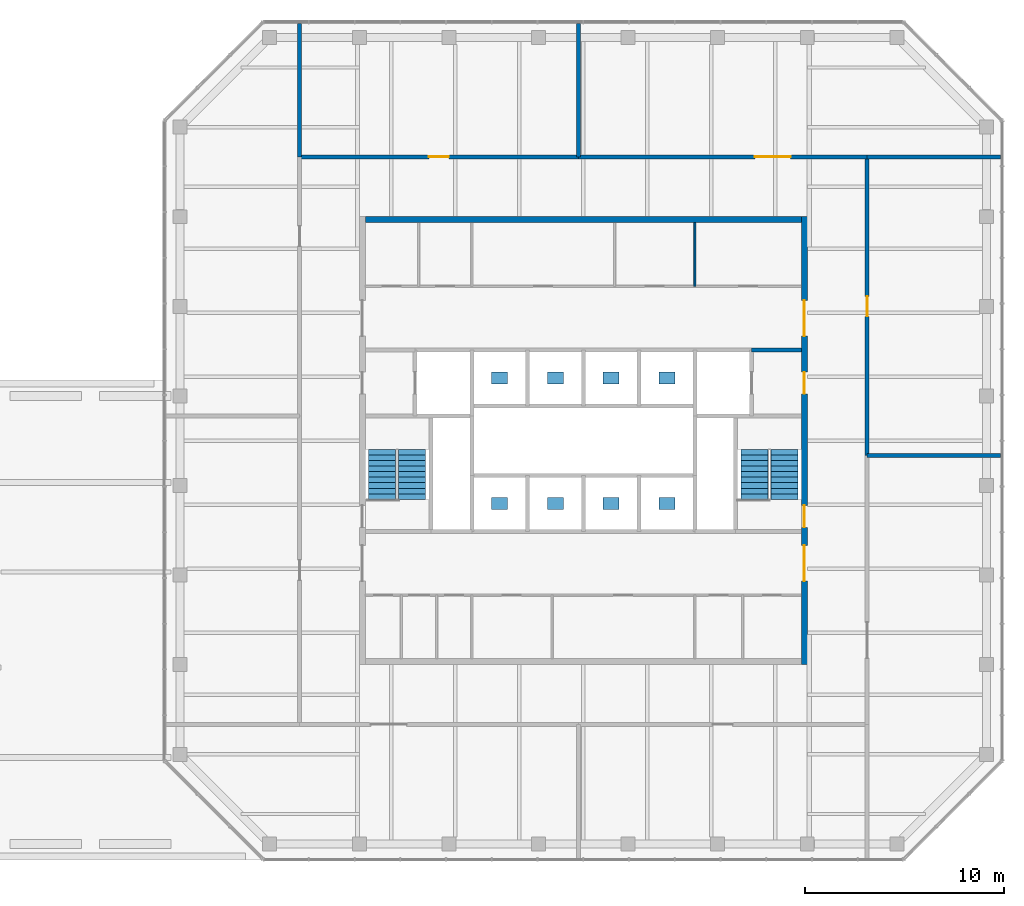
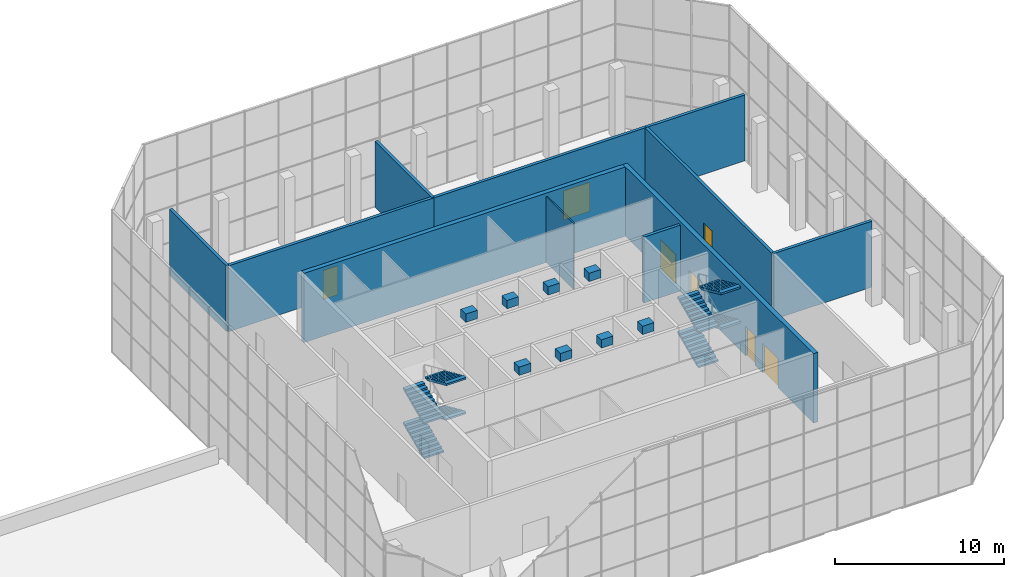
# One storey, part 18 of 19: 11 walls, 8 discrete accessories, 8 stair flights, 7 doors, 7 openings, 2 elements without a shape of their own.
"""IFC4 building model written with IfcOpenShell, lengths in metres."""

from ifc_helpers import new_model, si_unit, direction, frame, frame_2d, origin, origin_2d, place, context, subcontext, project, spatial, polyline, rectangle, outline, extrude, material, layer, layer_set, type_object, element, fill, aggregate, save


model = new_model("IFC4")

# Units and contexts
model_context = context("Model", 3, precision=1e-05, world=origin(), true_north=direction((0.0, 1.0)))
body_context = subcontext(model_context, "Body", "Model", "MODEL_VIEW")
ifc_project = project(units=[si_unit("LENGTHUNIT", "METRE"), si_unit("AREAUNIT", "SQUARE_METRE"), si_unit("VOLUMEUNIT", "CUBIC_METRE"), si_unit("PLANEANGLEUNIT", "RADIAN"), si_unit("MASSUNIT", "GRAM", prefix="KILO")], contexts=[model_context])

# Site, building, storey
site_placement = place(None, origin())
site = spatial("IfcSite", under=ifc_project, at=site_placement, CompositionType="ELEMENT")
building_placement = place(site_placement, origin())
building = spatial("IfcBuilding", under=site, at=building_placement, Name="Quoin Convention Tower", CompositionType="ELEMENT")
storey_placement = place(building_placement, frame((0.0, 0.0, 263.699951171875)))
storey = spatial("IfcBuildingStorey", under=building, at=storey_placement, Name="L69", CompositionType="ELEMENT", Elevation=263.699951171875)

# Walls
ifc_material_1 = material(Name="Plasterboard")
ifc_layer_1 = layer(ifc_material_1, 0.012451171875, Name="Finish")
ifc_material_2 = material(Name="Steel stud framing", Category="steel")
ifc_layer_2 = layer(ifc_material_2, 0.074951171875, Name="Structure")
ifc_layer_3 = layer(ifc_material_1, 0.012451171875, Name="Finish")
ifc_layer_set_1 = layer_set([ifc_layer_1, ifc_layer_2, ifc_layer_3], Name="Steel stud framing")
wall_type_1 = type_object("IfcWallType", Name="Core partition wall", PredefinedType="PARTITIONING", material=ifc_layer_set_1)
wall_1_placement = place(storey_placement, frame((61.85009765625, 68.5, 0.0), z_axis=(0.0, 0.0, 1.0), x_axis=(0.0, 1.0, 0.0)))
element("IfcWall", 1, at=wall_1_placement, inside=storey, type_object=wall_type_1, Name="cr-C1-L69-v16850_19000", PredefinedType="PARTITIONING", context=body_context, shape_type="SweptSolid", body=[
    extrude(rectangle(XDim=3.199951171875, YDim=0.10009765625, at=frame_2d((1.60009765625, 0.0))), origin(), (0.0, 0.0, 1.0), 4.75),
])
ifc_material_3 = material(Name="Concrete C50", Category="concrete")
ifc_layer_4 = layer(ifc_material_3, 0.199951171875)
ifc_layer_set_2 = layer_set([ifc_layer_4], Name="Concrete C50")
wall_type_2 = type_object("IfcWallType", Name="Core shaft wall", PredefinedType="SOLIDWALL", material=ifc_layer_set_2)
wall_2_placement = place(storey_placement, frame((64.699951171875, 65.300048828125, 0.0), z_axis=(0.0, 0.0, 1.0), x_axis=(1.0, 0.0, 0.0)))
element("IfcWall", 2, at=wall_2_placement, inside=storey, type_object=wall_type_2, Name="cr-C1-L69-h15800_19700", PredefinedType="SOLIDWALL", context=body_context, shape_type="SweptSolid", body=[
    extrude(rectangle(XDim=2.5, YDim=0.199951171875, at=frame_2d((1.25, 0.0))), origin(), (0.0, 0.0, 1.0), 4.75),
])
ifc_layer_5 = layer(ifc_material_1, 0.012451171875, Name="Finish")
ifc_layer_6 = layer(ifc_material_2, 0.175048828125, Name="Structure")
ifc_layer_7 = layer(ifc_material_1, 0.012451171875, Name="Finish")
ifc_layer_set_3 = layer_set([ifc_layer_5, ifc_layer_6, ifc_layer_7], Name="Steel stud framing")
wall_type_3 = type_object("IfcWallType", Name="Plant room wall 200", PredefinedType="PARTITIONING", material=ifc_layer_set_3)
wall_3_placement = place(storey_placement, frame((70.5, 60.0, 0.0), z_axis=(0.0, 0.0, 1.0), x_axis=(1.0, 0.0, 0.0)))
element("IfcWall", 3, at=wall_3_placement, inside=storey, type_object=wall_type_3, Name="pw-L69-008", PredefinedType="PARTITIONING", context=body_context, shape_type="SweptSolid", body=[
    extrude(rectangle(XDim=6.699951171875, YDim=0.199951171875, at=frame_2d((3.35009765625, 0.0))), origin(), (0.0, 0.0, 1.0), 4.75),
])

# Wall, opening, door
wall_4_placement = place(storey_placement, frame((70.5, 60.0, 0.0), z_axis=(0.0, 0.0, 1.0), x_axis=(0.0, 1.0, 0.0)))
wall_4 = element("IfcWall", 4, at=wall_4_placement, inside=storey, type_object=wall_type_3, Name="pw-L69-009", PredefinedType="PARTITIONING", context=body_context, shape_type="SweptSolid", body=[
    extrude(rectangle(XDim=15.0, YDim=0.199951171875, at=frame_2d((7.5, 0.0))), origin(), (0.0, 0.0, 1.0), 4.75),
])
opening_1_placement = place(wall_4_placement, frame((7.0, 0.0, 0.0)))
opening_1 = element("IfcOpeningElement", 5, at=opening_1_placement, cuts=wall_4, Name="Opening DPDC1-05", PredefinedType="OPENING", context=body_context, shape_type="SweptSolid", body=[
    extrude(rectangle(XDim=1.0, YDim=2.10009765625, at=frame_2d((0.5, 1.050048828125))), frame((0.0, 0.10986328125, 0.0), z_axis=(0.0, -1.0, 0.0), x_axis=(1.0, 0.0, 0.0)), (0.0, 0.0, 1.0), 0.219970703125),
])
ifc_material_4 = material(Name="Steel door leaf", Category="steel")
door_type_1 = type_object("IfcDoorType", Name="Plant door 1000", OperationType="SINGLE_SWING_RIGHT", PredefinedType="DOOR", material=ifc_material_4)
door_1_placement = place(opening_1_placement, frame((1.0, 0.0, 0.0), z_axis=(0.0, 0.0, 1.0), x_axis=(-1.0, 0.0, 0.0)))
door_1 = element("IfcDoor", 6, at=door_1_placement, inside=storey, type_object=door_type_1, Name="dr-L69-004", OperationType="SINGLE_SWING_LEFT", OverallHeight=2.10009765625, OverallWidth=1.0, PredefinedType="DOOR", context=body_context, shape_type="SweptSolid", body=[
    extrude(rectangle(XDim=1.0, YDim=2.10009765625, at=frame_2d((0.5, 1.050048828125))), frame((0.0, 0.02490234375, 0.0), z_axis=(0.0, -1.0, 0.0), x_axis=(1.0, 0.0, 0.0)), (0.0, 0.0, 1.0), 0.050048828125),
])
fill(opening_1, door_1)

wall_5_placement = place(storey_placement, frame((42.0, 75.0, 0.0), z_axis=(0.0, 0.0, 1.0), x_axis=(1.0, 0.0, 0.0)))
wall_5 = element("IfcWall", 7, at=wall_5_placement, inside=storey, type_object=wall_type_3, Name="pw-L69-012", PredefinedType="PARTITIONING", context=body_context, shape_type="SweptSolid", body=[
    extrude(rectangle(XDim=14.0, YDim=0.199951171875, at=frame_2d((7.0, 0.0))), origin(), (0.0, 0.0, 1.0), 4.75),
])
opening_2_placement = place(wall_5_placement, frame((6.5, 0.0, 0.0)))
opening_2 = element("IfcOpeningElement", 8, at=opening_2_placement, cuts=wall_5, Name="Opening DPDC1-07", PredefinedType="OPENING", context=body_context, shape_type="SweptSolid", body=[
    extrude(rectangle(XDim=1.0, YDim=2.10009765625, at=frame_2d((0.5, 1.050048828125))), frame((0.0, 0.10986328125, 0.0), z_axis=(0.0, -1.0, 0.0), x_axis=(1.0, 0.0, 0.0)), (0.0, 0.0, 1.0), 0.219970703125),
])
door_2_placement = place(opening_2_placement, origin())
door_2 = element("IfcDoor", 9, at=door_2_placement, inside=storey, type_object=door_type_1, Name="dr-L69-005", OperationType="SINGLE_SWING_RIGHT", OverallHeight=2.10009765625, OverallWidth=1.0, PredefinedType="DOOR", context=body_context, shape_type="SweptSolid", body=[
    extrude(rectangle(XDim=1.0, YDim=2.10009765625, at=frame_2d((0.5, 1.050048828125))), frame((0.0, 0.02490234375, 0.0), z_axis=(0.0, -1.0, 0.0), x_axis=(1.0, 0.0, 0.0)), (0.0, 0.0, 1.0), 0.050048828125),
])
fill(opening_2, door_2)

# Wall
wall_6_placement = place(storey_placement, frame((42.0, 75.0, 0.0), z_axis=(0.0, 0.0, 1.0), x_axis=(0.0, 1.0, 0.0)))
element("IfcWall", 10, at=wall_6_placement, inside=storey, type_object=wall_type_3, Name="pw-L69-013", PredefinedType="PARTITIONING", context=body_context, shape_type="SweptSolid", body=[
    extrude(rectangle(XDim=6.699951171875, YDim=0.199951171875, at=frame_2d((3.35009765625, 0.0))), origin(), (0.0, 0.0, 1.0), 4.75),
])

# Wall, opening, door
wall_7_placement = place(storey_placement, frame((56.0, 75.0, 0.0), z_axis=(0.0, 0.0, 1.0), x_axis=(1.0, 0.0, 0.0)))
wall_7 = element("IfcWall", 11, at=wall_7_placement, inside=storey, type_object=wall_type_3, Name="pw-L69-014", PredefinedType="PARTITIONING", context=body_context, shape_type="SweptSolid", body=[
    extrude(rectangle(XDim=14.5, YDim=0.199951171875, at=frame_2d((7.25, 0.0))), origin(), (0.0, 0.0, 1.0), 4.75),
])
opening_3_placement = place(wall_7_placement, frame((8.868896484375, 0.0, 0.0)))
opening_3 = element("IfcOpeningElement", 12, at=opening_3_placement, cuts=wall_7, Name="Opening DPDC1-08", PredefinedType="OPENING", context=body_context, shape_type="SweptSolid", body=[
    extrude(rectangle(XDim=1.800048828125, YDim=2.10009765625, at=frame_2d((0.89990234375, 1.050048828125))), frame((0.0, 0.10986328125, 0.0), z_axis=(0.0, -1.0, 0.0), x_axis=(1.0, 0.0, 0.0)), (0.0, 0.0, 1.0), 0.219970703125),
])
door_type_2 = type_object("IfcDoorType", Name="Plant door pair 1800", OperationType="DOUBLE_DOOR_SINGLE_SWING", PredefinedType="DOOR", material=ifc_material_4)
door_3_placement = place(opening_3_placement, origin())
door_3 = element("IfcDoor", 13, at=door_3_placement, inside=storey, type_object=door_type_2, Name="dr-L69-006", OperationType="DOUBLE_DOOR_SINGLE_SWING", OverallHeight=2.10009765625, OverallWidth=1.800048828125, PredefinedType="DOOR", context=body_context, shape_type="SweptSolid", body=[
    extrude(rectangle(XDim=1.800048828125, YDim=2.10009765625, at=frame_2d((0.89990234375, 1.050048828125))), frame((0.0, 0.02490234375, 0.0), z_axis=(0.0, -1.0, 0.0), x_axis=(1.0, 0.0, 0.0)), (0.0, 0.0, 1.0), 0.050048828125),
])
fill(opening_3, door_3)

# Walls
for number, where, z_axis, x_axis, name in (
    (14, (56.0, 75.0, 0.0), (0.0, 0.0, 1.0), (0.0, 1.0, 0.0), "pw-L69-015"),
    (15, (70.5, 75.0, 0.0), (0.0, 0.0, 1.0), (1.0, 0.0, 0.0), "pw-L69-016"),
):
    element("IfcWall", number, at=place(storey_placement, frame(where, z_axis=z_axis, x_axis=x_axis)), inside=storey, type_object=wall_type_3, Name=name, PredefinedType="PARTITIONING", context=body_context, shape_type="SweptSolid", body=[
        extrude(rectangle(XDim=6.699951171875, YDim=0.199951171875, at=frame_2d((3.35009765625, 0.0))), origin(), (0.0, 0.0, 1.0), 4.75),
    ])
ifc_material_5 = material(Name="Concrete C40", Category="concrete")
ifc_layer_8 = layer(ifc_material_5, 0.300048828125)
ifc_layer_set_4 = layer_set([ifc_layer_8], Name="Concrete C40")
wall_type_4 = type_object("IfcWallType", Name="RC CORE WALL 300 C40", PredefinedType="SHEAR", material=ifc_layer_set_4)
wall_8_placement = place(storey_placement, frame((45.300048828125, 71.85009765625, 0.0), z_axis=(0.0, 0.0, 1.0), x_axis=(1.0, 0.0, 0.0)))
element("IfcWall", 16, at=wall_8_placement, inside=storey, type_object=wall_type_4, Name="cwl-C1-L69-N", PredefinedType="SHEAR", context=body_context, shape_type="SweptSolid", body=[
    extrude(rectangle(XDim=21.89990234375, YDim=0.300048828125, at=frame_2d((10.949951171875, 0.0))), origin(), (0.0, 0.0, 1.0), 5.0),
])

# Wall, openings, doors
wall_9_placement = place(storey_placement, frame((67.35009765625, 49.5, 0.0), z_axis=(0.0, 0.0, 1.0), x_axis=(0.0, 1.0, 0.0)))
wall_9 = element("IfcWall", 17, at=wall_9_placement, inside=storey, type_object=wall_type_4, Name="cwl-C1-L69-E", PredefinedType="SHEAR", context=body_context, shape_type="SweptSolid", body=[
    extrude(rectangle(XDim=22.5, YDim=0.300048828125, at=frame_2d((11.25, 0.0))), origin(), (0.0, 0.0, 1.0), 5.0),
])
opening_4_placement = place(wall_9_placement, frame((4.199951171875, 0.0, 0.0)))
opening_4 = element("IfcOpeningElement", 18, at=opening_4_placement, cuts=wall_9, Name="Opening DCV5-48", PredefinedType="OPENING", context=body_context, shape_type="SweptSolid", body=[
    extrude(rectangle(XDim=1.800048828125, YDim=2.10009765625, at=frame_2d((0.89990234375, 1.050048828125))), frame((0.0, 0.159912109375, 0.0), z_axis=(0.0, -1.0, 0.0), x_axis=(1.0, 0.0, 0.0)), (0.0, 0.0, 1.0), 0.320068359375),
])
opening_5_placement = place(wall_9_placement, frame((6.89990234375, 0.0, 0.0)))
opening_5 = element("IfcOpeningElement", 19, at=opening_5_placement, cuts=wall_9, Name="Opening SD2", PredefinedType="OPENING", context=body_context, shape_type="SweptSolid", body=[
    extrude(rectangle(XDim=1.10009765625, YDim=2.10009765625, at=frame_2d((0.550048828125, 1.050048828125))), frame((0.0, 0.159912109375, 0.0), z_axis=(0.0, -1.0, 0.0), x_axis=(1.0, 0.0, 0.0)), (0.0, 0.0, 1.0), 0.320068359375),
])
opening_6_placement = place(wall_9_placement, frame((13.60009765625, 0.0, 0.0)))
opening_6 = element("IfcOpeningElement", 20, at=opening_6_placement, cuts=wall_9, Name="Opening DCV5-47", PredefinedType="OPENING", context=body_context, shape_type="SweptSolid", body=[
    extrude(rectangle(XDim=1.10009765625, YDim=2.10009765625, at=frame_2d((0.550048828125, 1.050048828125))), frame((0.0, 0.159912109375, 0.0), z_axis=(0.0, -1.0, 0.0), x_axis=(1.0, 0.0, 0.0)), (0.0, 0.0, 1.0), 0.320068359375),
])
opening_7_placement = place(wall_9_placement, frame((16.5, 0.0, 0.0)))
opening_7 = element("IfcOpeningElement", 21, at=opening_7_placement, cuts=wall_9, Name="Opening DCV5-48", PredefinedType="OPENING", context=body_context, shape_type="SweptSolid", body=[
    extrude(rectangle(XDim=1.800048828125, YDim=2.10009765625, at=frame_2d((0.89990234375, 1.050048828125))), frame((0.0, 0.159912109375, 0.0), z_axis=(0.0, -1.0, 0.0), x_axis=(1.0, 0.0, 0.0)), (0.0, 0.0, 1.0), 0.320068359375),
])
door_type_3 = type_object("IfcDoorType", Name="Fire-fighting lobby door 1100 x 2100", OperationType="SINGLE_SWING_LEFT", PredefinedType="DOOR", material=ifc_material_4)
door_4_placement = place(opening_6_placement, origin())
door_4 = element("IfcDoor", 22, at=door_4_placement, inside=storey, type_object=door_type_3, Name="cd-C1-L69-FFE-E", OperationType="SINGLE_SWING_RIGHT", OverallHeight=2.10009765625, OverallWidth=1.10009765625, PredefinedType="DOOR", context=body_context, shape_type="SweptSolid", body=[
    extrude(rectangle(XDim=1.10009765625, YDim=2.10009765625, at=frame_2d((0.550048828125, 1.050048828125))), frame((0.0, 0.02490234375, 0.0), z_axis=(0.0, -1.0, 0.0), x_axis=(1.0, 0.0, 0.0)), (0.0, 0.0, 1.0), 0.050048828125),
])
fill(opening_6, door_4)
door_type_4 = type_object("IfcDoorType", Name="Lift lobby door 1800 x 2100", OperationType="SINGLE_SWING_LEFT", PredefinedType="DOOR", material=ifc_material_4)
door_5_placement = place(opening_4_placement, origin())
door_5 = element("IfcDoor", 23, at=door_5_placement, inside=storey, type_object=door_type_4, Name="cd-C1-L69-lobA-E", OperationType="SINGLE_SWING_RIGHT", OverallHeight=2.10009765625, OverallWidth=1.800048828125, PredefinedType="DOOR", context=body_context, shape_type="SweptSolid", body=[
    extrude(rectangle(XDim=1.800048828125, YDim=2.10009765625, at=frame_2d((0.89990234375, 1.050048828125))), frame((0.0, 0.02490234375, 0.0), z_axis=(0.0, -1.0, 0.0), x_axis=(1.0, 0.0, 0.0)), (0.0, 0.0, 1.0), 0.050048828125),
])
fill(opening_4, door_5)
door_6_placement = place(opening_7_placement, origin())
door_6 = element("IfcDoor", 24, at=door_6_placement, inside=storey, type_object=door_type_4, Name="cd-C1-L69-lobB-E", OperationType="SINGLE_SWING_RIGHT", OverallHeight=2.10009765625, OverallWidth=1.800048828125, PredefinedType="DOOR", context=body_context, shape_type="SweptSolid", body=[
    extrude(rectangle(XDim=1.800048828125, YDim=2.10009765625, at=frame_2d((0.89990234375, 1.050048828125))), frame((0.0, 0.02490234375, 0.0), z_axis=(0.0, -1.0, 0.0), x_axis=(1.0, 0.0, 0.0)), (0.0, 0.0, 1.0), 0.050048828125),
])
fill(opening_7, door_6)
door_type_5 = type_object("IfcDoorType", Name="Stair door 1100 x 2100", OperationType="SINGLE_SWING_RIGHT", PredefinedType="DOOR", material=ifc_material_4)
door_7_placement = place(opening_5_placement, origin())
door_7 = element("IfcDoor", 25, at=door_7_placement, inside=storey, type_object=door_type_5, Name="cd-C1-L69-STE-E", OperationType="SINGLE_SWING_LEFT", OverallHeight=2.10009765625, OverallWidth=1.10009765625, PredefinedType="DOOR", context=body_context, shape_type="SweptSolid", body=[
    extrude(rectangle(XDim=1.10009765625, YDim=2.10009765625, at=frame_2d((0.550048828125, 1.050048828125))), frame((0.0, 0.02490234375, 0.0), z_axis=(0.0, -1.0, 0.0), x_axis=(1.0, 0.0, 0.0)), (0.0, 0.0, 1.0), 0.050048828125),
])
fill(opening_5, door_7)

# Stair, stair flights
stair_type = type_object("IfcStairType", Name="Exit stair four-flight 1350", PredefinedType="DOUBLE_RETURN_STAIR", material=ifc_material_5)
stair_1_placement = place(storey_placement, origin())
stair_1 = element("IfcStair", 26, at=stair_1_placement, inside=storey, type_object=stair_type, Name="SD1 L69", PredefinedType="DOUBLE_RETURN_STAIR")
stair_flight_type = type_object("IfcStairFlightType", Name="Stair flight 1350", PredefinedType="STRAIGHT", material=ifc_material_5)
stair_flight_1_placement = place(storey_placement, frame((46.14990234375, 57.800048828125, 0.0), z_axis=(0.0, 0.0, 1.0), x_axis=(0.0, 1.0, 0.0)))
stair_flight_1 = element("IfcStairFlight", 27, at=stair_flight_1_placement, type_object=stair_flight_type, Name="ST1 flight 1", NumberOfRisers=10, NumberOfTreads=9, PredefinedType="STRAIGHT", RiserHeight=0.125, TreadLength=0.28, context=body_context, shape_type="SweptSolid", body=[
    extrude(outline(polyline([(0.0, 0.0), (0.0, 0.125), (0.280029296875, 0.125), (0.280029296875, 0.25), (0.56005859375, 0.25), (0.56005859375, 0.375), (0.840087890625, 0.375), (0.840087890625, 0.5), (1.1201171875, 0.5), (1.1201171875, 0.625), (1.39990234375, 0.625), (1.39990234375, 0.75), (1.679931640625, 0.75), (1.679931640625, 0.875), (1.9599609375, 0.875), (1.9599609375, 1.0), (2.239990234375, 1.0), (2.239990234375, 1.125), (2.52001953125, 1.125), (2.52001953125, 1.25), (2.52001953125, 0.993408203125), (0.294677734375, 0.0), (0.0, 0.0)])), frame((0.0, 0.675048828125, 0.0), z_axis=(0.0, -1.0, 0.0), x_axis=(1.0, 0.0, 0.0)), (0.0, 0.0, 1.0), 1.35009765625),
])
stair_flight_2_placement = place(storey_placement, frame((47.64990234375, 60.320068359375, 1.25), z_axis=(0.0, 0.0, 1.0), x_axis=(0.0, -1.0, 0.0)))
stair_flight_2 = element("IfcStairFlight", 28, at=stair_flight_2_placement, type_object=stair_flight_type, Name="ST1 flight 2", NumberOfRisers=10, NumberOfTreads=9, PredefinedType="STRAIGHT", RiserHeight=0.125, TreadLength=0.28, context=body_context, shape_type="SweptSolid", body=[
    extrude(outline(polyline([(0.0, 0.0), (0.0, 0.125), (0.280029296875, 0.125), (0.280029296875, 0.25), (0.56005859375, 0.25), (0.56005859375, 0.375), (0.840087890625, 0.375), (0.840087890625, 0.5), (1.1201171875, 0.5), (1.1201171875, 0.625), (1.39990234375, 0.625), (1.39990234375, 0.75), (1.679931640625, 0.75), (1.679931640625, 0.875), (1.9599609375, 0.875), (1.9599609375, 1.0), (2.239990234375, 1.0), (2.239990234375, 1.125), (2.52001953125, 1.125), (2.52001953125, 1.25), (2.52001953125, 0.993408203125), (0.294677734375, 0.0), (0.0, 0.0)])), frame((0.0, 0.675048828125, 0.0), z_axis=(0.0, -1.0, 0.0), x_axis=(1.0, 0.0, 0.0)), (0.0, 0.0, 1.0), 1.35009765625),
])
stair_flight_3_placement = place(storey_placement, frame((46.14990234375, 57.800048828125, 2.5), z_axis=(0.0, 0.0, 1.0), x_axis=(0.0, 1.0, 0.0)))
stair_flight_3 = element("IfcStairFlight", 29, at=stair_flight_3_placement, type_object=stair_flight_type, Name="ST1 flight 3", NumberOfRisers=10, NumberOfTreads=9, PredefinedType="STRAIGHT", RiserHeight=0.125, TreadLength=0.28, context=body_context, shape_type="SweptSolid", body=[
    extrude(outline(polyline([(0.0, 0.0), (0.0, 0.125), (0.280029296875, 0.125), (0.280029296875, 0.25), (0.56005859375, 0.25), (0.56005859375, 0.375), (0.840087890625, 0.375), (0.840087890625, 0.5), (1.1201171875, 0.5), (1.1201171875, 0.625), (1.39990234375, 0.625), (1.39990234375, 0.75), (1.679931640625, 0.75), (1.679931640625, 0.875), (1.9599609375, 0.875), (1.9599609375, 1.0), (2.239990234375, 1.0), (2.239990234375, 1.125), (2.52001953125, 1.125), (2.52001953125, 1.25), (2.52001953125, 0.993408203125), (0.294677734375, 0.0), (0.0, 0.0)])), frame((0.0, 0.675048828125, 0.0), z_axis=(0.0, -1.0, 0.0), x_axis=(1.0, 0.0, 0.0)), (0.0, 0.0, 1.0), 1.35009765625),
])
stair_flight_4_placement = place(storey_placement, frame((47.64990234375, 60.320068359375, 3.75), z_axis=(0.0, 0.0, 1.0), x_axis=(0.0, -1.0, 0.0)))
stair_flight_4 = element("IfcStairFlight", 30, at=stair_flight_4_placement, type_object=stair_flight_type, Name="ST1 flight 4", NumberOfRisers=10, NumberOfTreads=9, PredefinedType="STRAIGHT", RiserHeight=0.125, TreadLength=0.28, context=body_context, shape_type="SweptSolid", body=[
    extrude(outline(polyline([(0.0, 0.0), (0.0, 0.125), (0.280029296875, 0.125), (0.280029296875, 0.25), (0.56005859375, 0.25), (0.56005859375, 0.375), (0.840087890625, 0.375), (0.840087890625, 0.5), (1.1201171875, 0.5), (1.1201171875, 0.625), (1.39990234375, 0.625), (1.39990234375, 0.75), (1.679931640625, 0.75), (1.679931640625, 0.875), (1.9599609375, 0.875), (1.9599609375, 1.0), (2.239990234375, 1.0), (2.239990234375, 1.125), (2.52001953125, 1.125), (2.52001953125, 1.25), (2.52001953125, 0.993408203125), (0.294677734375, 0.0), (0.0, 0.0)])), frame((0.0, 0.675048828125, 0.0), z_axis=(0.0, -1.0, 0.0), x_axis=(1.0, 0.0, 0.0)), (0.0, 0.0, 1.0), 1.35009765625),
])
aggregate(stair_1, [stair_flight_1, stair_flight_2, stair_flight_3, stair_flight_4])

stair_2_placement = place(storey_placement, origin())
stair_2 = element("IfcStair", 31, at=stair_2_placement, inside=storey, type_object=stair_type, Name="SD2 L69", PredefinedType="DOUBLE_RETURN_STAIR")
stair_flight_5_placement = place(storey_placement, frame((64.85009765625, 57.800048828125, 0.0), z_axis=(0.0, 0.0, 1.0), x_axis=(0.0, 1.0, 0.0)))
stair_flight_5 = element("IfcStairFlight", 32, at=stair_flight_5_placement, type_object=stair_flight_type, Name="ST2 flight 1", NumberOfRisers=10, NumberOfTreads=9, PredefinedType="STRAIGHT", RiserHeight=0.125, TreadLength=0.28, context=body_context, shape_type="SweptSolid", body=[
    extrude(outline(polyline([(0.0, 0.0), (0.0, 0.125), (0.280029296875, 0.125), (0.280029296875, 0.25), (0.56005859375, 0.25), (0.56005859375, 0.375), (0.840087890625, 0.375), (0.840087890625, 0.5), (1.1201171875, 0.5), (1.1201171875, 0.625), (1.39990234375, 0.625), (1.39990234375, 0.75), (1.679931640625, 0.75), (1.679931640625, 0.875), (1.9599609375, 0.875), (1.9599609375, 1.0), (2.239990234375, 1.0), (2.239990234375, 1.125), (2.52001953125, 1.125), (2.52001953125, 1.25), (2.52001953125, 0.993408203125), (0.294677734375, 0.0), (0.0, 0.0)])), frame((0.0, 0.675048828125, 0.0), z_axis=(0.0, -1.0, 0.0), x_axis=(1.0, 0.0, 0.0)), (0.0, 0.0, 1.0), 1.35009765625),
])
stair_flight_6_placement = place(storey_placement, frame((66.35009765625, 60.320068359375, 1.25), z_axis=(0.0, 0.0, 1.0), x_axis=(0.0, -1.0, 0.0)))
stair_flight_6 = element("IfcStairFlight", 33, at=stair_flight_6_placement, type_object=stair_flight_type, Name="ST2 flight 2", NumberOfRisers=10, NumberOfTreads=9, PredefinedType="STRAIGHT", RiserHeight=0.125, TreadLength=0.28, context=body_context, shape_type="SweptSolid", body=[
    extrude(outline(polyline([(0.0, 0.0), (0.0, 0.125), (0.280029296875, 0.125), (0.280029296875, 0.25), (0.56005859375, 0.25), (0.56005859375, 0.375), (0.840087890625, 0.375), (0.840087890625, 0.5), (1.1201171875, 0.5), (1.1201171875, 0.625), (1.39990234375, 0.625), (1.39990234375, 0.75), (1.679931640625, 0.75), (1.679931640625, 0.875), (1.9599609375, 0.875), (1.9599609375, 1.0), (2.239990234375, 1.0), (2.239990234375, 1.125), (2.52001953125, 1.125), (2.52001953125, 1.25), (2.52001953125, 0.993408203125), (0.294677734375, 0.0), (0.0, 0.0)])), frame((0.0, 0.675048828125, 0.0), z_axis=(0.0, -1.0, 0.0), x_axis=(1.0, 0.0, 0.0)), (0.0, 0.0, 1.0), 1.35009765625),
])
stair_flight_7_placement = place(storey_placement, frame((64.85009765625, 57.800048828125, 2.5), z_axis=(0.0, 0.0, 1.0), x_axis=(0.0, 1.0, 0.0)))
stair_flight_7 = element("IfcStairFlight", 34, at=stair_flight_7_placement, type_object=stair_flight_type, Name="ST2 flight 3", NumberOfRisers=10, NumberOfTreads=9, PredefinedType="STRAIGHT", RiserHeight=0.125, TreadLength=0.28, context=body_context, shape_type="SweptSolid", body=[
    extrude(outline(polyline([(0.0, 0.0), (0.0, 0.125), (0.280029296875, 0.125), (0.280029296875, 0.25), (0.56005859375, 0.25), (0.56005859375, 0.375), (0.840087890625, 0.375), (0.840087890625, 0.5), (1.1201171875, 0.5), (1.1201171875, 0.625), (1.39990234375, 0.625), (1.39990234375, 0.75), (1.679931640625, 0.75), (1.679931640625, 0.875), (1.9599609375, 0.875), (1.9599609375, 1.0), (2.239990234375, 1.0), (2.239990234375, 1.125), (2.52001953125, 1.125), (2.52001953125, 1.25), (2.52001953125, 0.993408203125), (0.294677734375, 0.0), (0.0, 0.0)])), frame((0.0, 0.675048828125, 0.0), z_axis=(0.0, -1.0, 0.0), x_axis=(1.0, 0.0, 0.0)), (0.0, 0.0, 1.0), 1.35009765625),
])
stair_flight_8_placement = place(storey_placement, frame((66.35009765625, 60.320068359375, 3.75), z_axis=(0.0, 0.0, 1.0), x_axis=(0.0, -1.0, 0.0)))
stair_flight_8 = element("IfcStairFlight", 35, at=stair_flight_8_placement, type_object=stair_flight_type, Name="ST2 flight 4", NumberOfRisers=10, NumberOfTreads=9, PredefinedType="STRAIGHT", RiserHeight=0.125, TreadLength=0.28, context=body_context, shape_type="SweptSolid", body=[
    extrude(outline(polyline([(0.0, 0.0), (0.0, 0.125), (0.280029296875, 0.125), (0.280029296875, 0.25), (0.56005859375, 0.25), (0.56005859375, 0.375), (0.840087890625, 0.375), (0.840087890625, 0.5), (1.1201171875, 0.5), (1.1201171875, 0.625), (1.39990234375, 0.625), (1.39990234375, 0.75), (1.679931640625, 0.75), (1.679931640625, 0.875), (1.9599609375, 0.875), (1.9599609375, 1.0), (2.239990234375, 1.0), (2.239990234375, 1.125), (2.52001953125, 1.125), (2.52001953125, 1.25), (2.52001953125, 0.993408203125), (0.294677734375, 0.0), (0.0, 0.0)])), frame((0.0, 0.675048828125, 0.0), z_axis=(0.0, -1.0, 0.0), x_axis=(1.0, 0.0, 0.0)), (0.0, 0.0, 1.0), 1.35009765625),
])
aggregate(stair_2, [stair_flight_5, stair_flight_6, stair_flight_7, stair_flight_8])

# Discrete accessories
ifc_material_6 = material(Name="Steel Grade 300", Category="steel")
for number, where, z_axis, x_axis, name in (
    (36, (52.050048828125, 57.60009765625, 4.14990234375), (0.0, 0.0, 1.0), (1.0, 0.0, 0.0), "LIFT MACHINE H1"),
    (37, (54.85009765625, 57.60009765625, 4.14990234375), (0.0, 0.0, 1.0), (1.0, 0.0, 0.0), "LIFT MACHINE H2"),
    (38, (57.64990234375, 57.60009765625, 4.14990234375), (0.0, 0.0, 1.0), (1.0, 0.0, 0.0), "LIFT MACHINE H3"),
    (39, (60.449951171875, 57.60009765625, 4.14990234375), (0.0, 0.0, 1.0), (1.0, 0.0, 0.0), "LIFT MACHINE H4"),
    (40, (52.050048828125, 63.89990234375, 4.14990234375), (0.0, 0.0, 1.0), (1.0, 0.0, 0.0), "LIFT MACHINE H5"),
    (41, (54.85009765625, 63.89990234375, 4.14990234375), (0.0, 0.0, 1.0), (1.0, 0.0, 0.0), "LIFT MACHINE H6"),
    (42, (57.64990234375, 63.89990234375, 4.14990234375), (0.0, 0.0, 1.0), (1.0, 0.0, 0.0), "LIFT MACHINE H7"),
    (43, (60.449951171875, 63.89990234375, 4.14990234375), (0.0, 0.0, 1.0), (1.0, 0.0, 0.0), "LIFT MACHINE H8"),
):
    element("IfcDiscreteAccessory", number, at=place(storey_placement, frame(where, z_axis=z_axis, x_axis=x_axis)), inside=storey, material=ifc_material_6, Name=name, ObjectType="Lift machine", PredefinedType="USERDEFINED", context=body_context, shape_type="SweptSolid", body=[
        extrude(rectangle(XDim=0.800048828125, YDim=0.60009765625, at=origin_2d()), origin(), (0.0, 0.0, 1.0), 0.60009765625),
    ])

save(model, "model.ifc")
